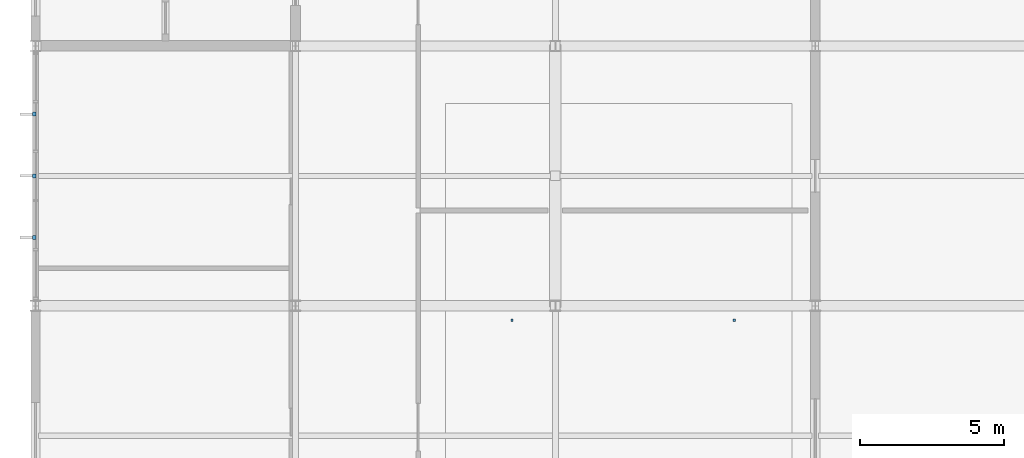
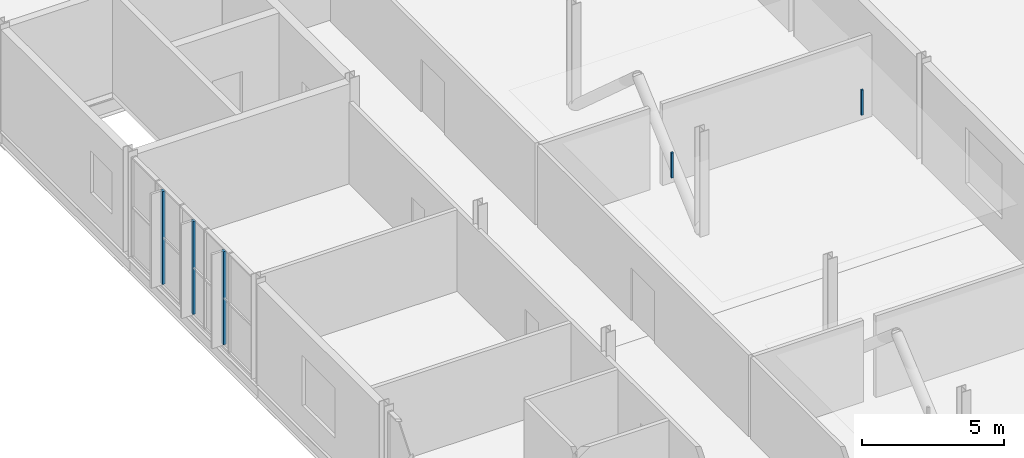
# One storey, part 47 of 53: 5 discrete accessories.
"""IFC4 building model written with IfcOpenShell, lengths in metres."""

from ifc_helpers import new_model, si_unit, direction, frame, origin, origin_2d, place, context, subcontext, project, spatial, rectangle, extrude, material, type_object, element, save


model = new_model("IFC4")

# Units and contexts
model_context = context("Model", 3, precision=1e-05, world=origin(), true_north=direction((0.0, 1.0)))
body_context = subcontext(model_context, "Body", "Model", "MODEL_VIEW")
ifc_project = project(units=[si_unit("LENGTHUNIT", "METRE"), si_unit("AREAUNIT", "SQUARE_METRE"), si_unit("VOLUMEUNIT", "CUBIC_METRE"), si_unit("PLANEANGLEUNIT", "RADIAN"), si_unit("MASSUNIT", "GRAM", prefix="KILO")], contexts=[model_context])

# Site, building, storey
site_placement = place(None, origin())
site = spatial("IfcSite", under=ifc_project, at=site_placement, CompositionType="ELEMENT")
building_placement = place(site_placement, origin())
building = spatial("IfcBuilding", under=site, at=building_placement, Name="Cazmaro Siding Exhibition Halls", CompositionType="ELEMENT")
storey_placement = place(building_placement, frame((0.0, 0.0, 21.0)))
storey = spatial("IfcBuildingStorey", under=building, at=storey_placement, Name="L04", CompositionType="ELEMENT", Elevation=21.0)

# Discrete accessories
ifc_material_1 = material(Name="Steel ASTM A572 Grade 50", Category="steel")
discrete_accessory_type_1 = type_object("IfcDiscreteAccessoryType", Name="SBK-01", PredefinedType="BRACKET", material=ifc_material_1)
for number, where, z_axis, x_axis, name in (
    (1, (-0.0400390625, 84.364990234375, 0.14990234375), (0.0, 0.0, 1.0), (1.0, 0.0, 0.0), "Solar Fin Steel Support Bracket SBK-01 049"),
    (2, (-0.0400390625, 86.5, 0.14990234375), (0.0, 0.0, 1.0), (1.0, 0.0, 0.0), "Solar Fin Steel Support Bracket SBK-01 050"),
    (3, (-0.0400390625, 88.634033203125, 0.14990234375), (0.0, 0.0, 1.0), (1.0, 0.0, 0.0), "Solar Fin Steel Support Bracket SBK-01 051"),
):
    element("IfcDiscreteAccessory", number, at=place(storey_placement, frame(where, z_axis=z_axis, x_axis=x_axis)), inside=storey, type_object=discrete_accessory_type_1, Name=name, PredefinedType="BRACKET", context=body_context, shape_type="SweptSolid", body=[
        extrude(rectangle(XDim=0.1201171875, YDim=0.139892578125, at=origin_2d()), origin(), (0.0, 0.0, 1.0), 3.989990234375),
    ])
ifc_material_2 = material(Name="Steel ASTM A572 Grade 50", Category="steel")
discrete_accessory_type_2 = type_object("IfcDiscreteAccessoryType", Name="SBK-02", PredefinedType="BRACKET", material=ifc_material_2)
for number, where, z_axis, x_axis, name in (
    (4, (16.5, 81.5, 3.219970703125), (0.0, 0.0, 1.0), (1.0, 0.0, 0.0), "Ceiling Cloud Hanger Bracket SBK-02 019"),
    (5, (24.199951171875, 81.5, 3.219970703125), (0.0, 0.0, 1.0), (1.0, 0.0, 0.0), "Ceiling Cloud Hanger Bracket SBK-02 020"),
):
    element("IfcDiscreteAccessory", number, at=place(storey_placement, frame(where, z_axis=z_axis, x_axis=x_axis)), inside=storey, type_object=discrete_accessory_type_2, Name=name, PredefinedType="BRACKET", context=body_context, shape_type="SweptSolid", body=[
        extrude(rectangle(XDim=0.080078125, YDim=0.080078125, at=origin_2d()), origin(), (0.0, 0.0, 1.0), 1.080078125),
    ])

save(model, "model.ifc")
